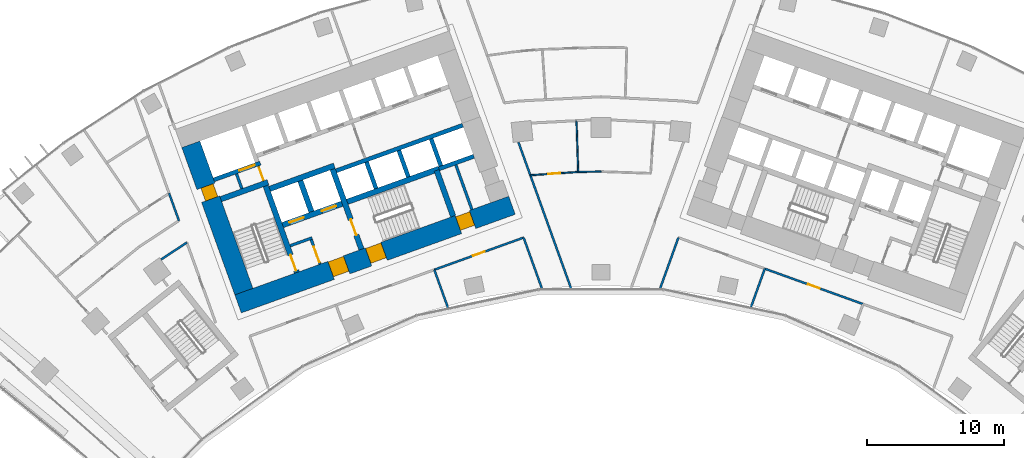
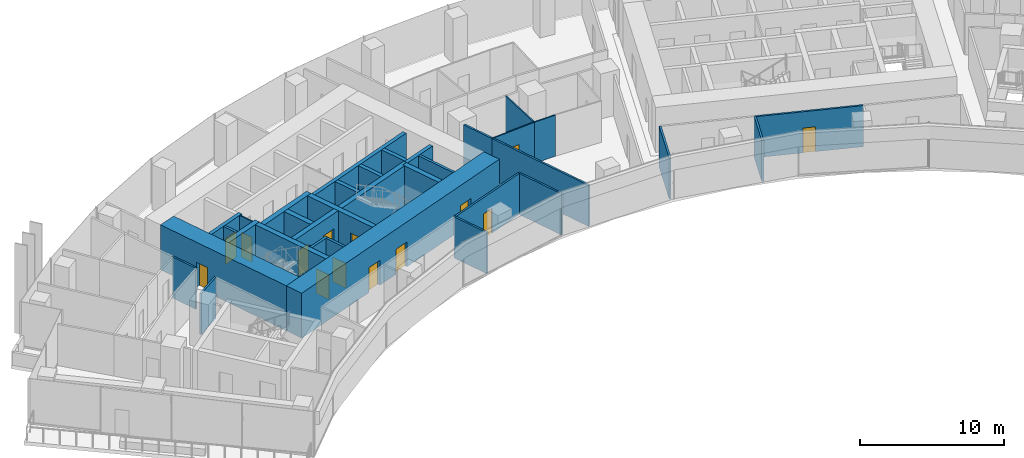
# One storey, part 14 of 21: 33 walls, 14 doors, 14 openings.
"""IFC4 building model written with IfcOpenShell, lengths in metres."""

from ifc_helpers import new_model, si_unit, direction, frame, frame_2d, origin, place, context, subcontext, project, spatial, rectangle, extrude, material, layer, layer_set, type_object, element, fill, save


model = new_model("IFC4")

# Units and contexts
model_context = context("Model", 3, precision=1e-05, world=origin(), true_north=direction((0.0, 1.0)))
body_context = subcontext(model_context, "Body", "Model", "MODEL_VIEW")
ifc_project = project(units=[si_unit("LENGTHUNIT", "METRE"), si_unit("AREAUNIT", "SQUARE_METRE"), si_unit("VOLUMEUNIT", "CUBIC_METRE"), si_unit("PLANEANGLEUNIT", "RADIAN"), si_unit("MASSUNIT", "GRAM", prefix="KILO")], contexts=[model_context])

# Site, building, storey
site_placement = place(None, origin())
site = spatial("IfcSite", under=ifc_project, at=site_placement, CompositionType="ELEMENT")
building_placement = place(site_placement, origin())
building = spatial("IfcBuilding", under=site, at=building_placement, Name="Stone Belt Terrace Tower", CompositionType="ELEMENT")
storey_placement = place(building_placement, frame((0.0, 0.0, 113.60009765625)))
storey = spatial("IfcBuildingStorey", under=building, at=storey_placement, Name="L27", CompositionType="ELEMENT", Elevation=113.60009765625)

# Wall, opening, door
ifc_material_1 = material(Name="Plasterboard partition")
ifc_layer_1 = layer(ifc_material_1, 0.10009765625)
ifc_layer_set_1 = layer_set([ifc_layer_1], Name="Core partition 100")
wall_type_1 = type_object("IfcWallType", Name="Core partition 100", PredefinedType="PARTITIONING", material=ifc_layer_set_1)
wall_1_placement = place(storey_placement, frame((-24.555908203125, 51.10400390625, 0.0), z_axis=(0.0, 0.0, 1.0), x_axis=(-0.338621735342, 0.94092258999, 0.0)))
wall_1 = element("IfcWall", 1, at=wall_1_placement, inside=storey, type_object=wall_type_1, Name="Core A wall", PredefinedType="PARTITIONING", context=body_context, shape_type="SweptSolid", body=[
    extrude(rectangle(XDim=1.14990234375, YDim=0.10009765625, at=frame_2d((0.574951171875, 0.0))), origin(), (0.0, 0.0, 1.0), 3.47998046875),
])
opening_1_placement = place(wall_1_placement, frame((0.050048828125, 0.0, 0.0)))
opening_1 = element("IfcOpeningElement", 2, at=opening_1_placement, cuts=wall_1, Name="Opening L27-C02", PredefinedType="OPENING", context=body_context, shape_type="SweptSolid", body=[
    extrude(rectangle(XDim=1.0, YDim=2.10009765625, at=frame_2d((0.5, 1.050048828125))), frame((0.0, 0.06005859375, 0.0), z_axis=(0.0, -1.0, 0.0), x_axis=(1.0, 0.0, 0.0)), (0.0, 0.0, 1.0), 0.1201171875),
])
ifc_material_2 = material(Name="Timber door leaf", Category="wood")
door_type_1 = type_object("IfcDoorType", Name="Core room door 1000", OperationType="SINGLE_SWING_LEFT", PredefinedType="DOOR", material=ifc_material_2)
door_1_placement = place(opening_1_placement, origin())
door_1 = element("IfcDoor", 3, at=door_1_placement, inside=storey, type_object=door_type_1, Name="Service lift lobby door core A", OperationType="SINGLE_SWING_RIGHT", OverallHeight=2.10009765625, OverallWidth=1.0, PredefinedType="DOOR", context=body_context, shape_type="SweptSolid", body=[
    extrude(rectangle(XDim=1.0, YDim=2.10009765625, at=frame_2d((0.5, 1.050048828125))), frame((0.0, 0.02490234375, 0.0), z_axis=(0.0, -1.0, 0.0), x_axis=(1.0, 0.0, 0.0)), (0.0, 0.0, 1.0), 0.050048828125),
])
fill(opening_1, door_1)

# Wall, openings, doors
ifc_material_3 = material(Name="Concrete B80", Category="concrete")
ifc_layer_2 = layer(ifc_material_3, 1.39990234375)
ifc_layer_set_2 = layer_set([ifc_layer_2], Name="Core wall 1400 B80")
wall_type_2 = type_object("IfcWallType", Name="Core wall 1400 B80", PredefinedType="SHEAR", material=ifc_layer_set_2)
wall_2_placement = place(storey_placement, frame((-26.430908203125, 42.139404296875, 0.0), z_axis=(0.0, 0.0, 1.0), x_axis=(0.940923374003, 0.33861955681, 0.0)))
wall_2 = element("IfcWall", 4, at=wall_2_placement, inside=storey, type_object=wall_type_2, Name="Core A wall concave L27", PredefinedType="SHEAR", context=body_context, shape_type="SweptSolid", body=[
    extrude(rectangle(XDim=21.199951171875, YDim=1.39990234375, at=frame_2d((10.60009765625, 0.0))), origin(), (0.0, 0.0, 1.0), 3.7998046875),
])
opening_2_placement = place(wall_2_placement, frame((7.199951171875, 0.0, 0.0)))
opening_2 = element("IfcOpeningElement", 5, at=opening_2_placement, cuts=wall_2, Name="Opening L27-C07", PredefinedType="OPENING", context=body_context, shape_type="SweptSolid", body=[
    extrude(rectangle(XDim=1.199951171875, YDim=2.10009765625, at=frame_2d((0.60009765625, 1.050048828125))), frame((0.0, 0.7099609375, 0.0), z_axis=(0.0, -1.0, 0.0), x_axis=(1.0, 0.0, 0.0)), (0.0, 0.0, 1.0), 1.419921875),
])
opening_3_placement = place(wall_2_placement, frame((10.099853515625, 0.0, 0.0)))
opening_3 = element("IfcOpeningElement", 6, at=opening_3_placement, cuts=wall_2, Name="Opening L27-C09", PredefinedType="OPENING", context=body_context, shape_type="SweptSolid", body=[
    extrude(rectangle(XDim=1.199951171875, YDim=2.10009765625, at=frame_2d((0.60009765625, 1.050048828125))), frame((0.0, 0.7099609375, 0.0), z_axis=(0.0, -1.0, 0.0), x_axis=(1.0, 0.0, 0.0)), (0.0, 0.0, 1.0), 1.419921875),
])
opening_4_placement = place(wall_2_placement, frame((17.050048828125, 0.0, 0.0)))
opening_4 = element("IfcOpeningElement", 7, at=opening_4_placement, cuts=wall_2, Name="Opening L27-C11", PredefinedType="OPENING", context=body_context, shape_type="SweptSolid", body=[
    extrude(rectangle(XDim=1.10009765625, YDim=2.10009765625, at=frame_2d((0.550048828125, 1.050048828125))), frame((0.0, 0.7099609375, 0.0), z_axis=(0.0, -1.0, 0.0), x_axis=(1.0, 0.0, 0.0)), (0.0, 0.0, 1.0), 1.419921875),
])
door_type_2 = type_object("IfcDoorType", Name="Core room door 1100", OperationType="SINGLE_SWING_LEFT", PredefinedType="DOOR", material=ifc_material_2)
door_2_placement = place(opening_4_placement, origin())
door_2 = element("IfcDoor", 8, at=door_2_placement, inside=storey, type_object=door_type_2, Name="Door to Communications riser room core A", OperationType="SINGLE_SWING_RIGHT", OverallHeight=2.10009765625, OverallWidth=1.10009765625, PredefinedType="DOOR", context=body_context, shape_type="SweptSolid", body=[
    extrude(rectangle(XDim=1.10009765625, YDim=2.10009765625, at=frame_2d((0.550048828125, 1.050048828125))), frame((0.0, 0.60498046875, 0.0), z_axis=(0.0, -1.0, 0.0), x_axis=(1.0, 0.0, 0.0)), (0.0, 0.0, 1.0), 1.050048828125),
])
fill(opening_4, door_2)
ifc_material_4 = material(Name="Steel door leaf", Category="steel")
door_type_3 = type_object("IfcDoorType", Name="Fire-fighting lobby door 1200", OperationType="SINGLE_SWING_LEFT", PredefinedType="DOOR", material=ifc_material_4)
door_3_placement = place(opening_2_placement, origin())
door_3 = element("IfcDoor", 9, at=door_3_placement, inside=storey, type_object=door_type_3, Name="Fire-fighting lobby door core A", OperationType="SINGLE_SWING_RIGHT", OverallHeight=2.10009765625, OverallWidth=1.199951171875, PredefinedType="DOOR", context=body_context, shape_type="SweptSolid", body=[
    extrude(rectangle(XDim=1.199951171875, YDim=2.10009765625, at=frame_2d((0.60009765625, 1.050048828125))), frame((0.0, 0.655029296875, 0.0), z_axis=(0.0, -1.0, 0.0), x_axis=(1.0, 0.0, 0.0)), (0.0, 0.0, 1.0), 1.14990234375),
])
fill(opening_2, door_3)
door_type_4 = type_object("IfcDoorType", Name="Stair door 1200", OperationType="SINGLE_SWING_LEFT", PredefinedType="DOOR", material=ifc_material_4)
door_4_placement = place(opening_3_placement, origin())
door_4 = element("IfcDoor", 10, at=door_4_placement, inside=storey, type_object=door_type_4, Name="Stair 2 exit door core A", OperationType="SINGLE_SWING_LEFT", OverallHeight=2.10009765625, OverallWidth=1.199951171875, PredefinedType="DOOR", context=body_context, shape_type="SweptSolid", body=[
    extrude(rectangle(XDim=1.199951171875, YDim=2.10009765625, at=frame_2d((0.60009765625, 1.050048828125))), frame((0.0, 0.655029296875, 0.0), z_axis=(0.0, -1.0, 0.0), x_axis=(1.0, 0.0, 0.0)), (0.0, 0.0, 1.0), 1.14990234375),
])
fill(opening_3, door_4)

# Wall, opening, door
wall_3_placement = place(storey_placement, frame((-26.00927734375, 43.03515625, 0.0), z_axis=(0.0, 0.0, 1.0), x_axis=(-0.338625431531, 0.940921259788, 0.0)))
wall_3 = element("IfcWall", 11, at=wall_3_placement, inside=storey, type_object=wall_type_2, Name="Core A wall end_a L27", PredefinedType="SHEAR", context=body_context, shape_type="SweptSolid", body=[
    extrude(rectangle(XDim=11.400146484375, YDim=1.39990234375, at=frame_2d((5.7001953125, 0.0))), origin(), (0.0, 0.0, 1.0), 3.7998046875),
])
opening_5_placement = place(wall_3_placement, frame((7.14990234375, 0.0, 0.0)))
opening_5 = element("IfcOpeningElement", 12, at=opening_5_placement, cuts=wall_3, Name="Opening L27-C01", PredefinedType="OPENING", context=body_context, shape_type="SweptSolid", body=[
    extrude(rectangle(XDim=1.0, YDim=2.10009765625, at=frame_2d((0.5, 1.050048828125))), frame((0.0, 0.7099609375, 0.0), z_axis=(0.0, -1.0, 0.0), x_axis=(1.0, 0.0, 0.0)), (0.0, 0.0, 1.0), 1.419921875),
])
door_5_placement = place(opening_5_placement, origin())
door_5 = element("IfcDoor", 13, at=door_5_placement, inside=storey, type_object=door_type_1, Name="Door to Telecommunications riser room core A", OperationType="SINGLE_SWING_LEFT", OverallHeight=2.10009765625, OverallWidth=1.0, PredefinedType="DOOR", context=body_context, shape_type="SweptSolid", body=[
    extrude(rectangle(XDim=1.0, YDim=2.10009765625, at=frame_2d((0.5, 1.050048828125))), frame((0.0, 0.39501953125, 0.0), z_axis=(0.0, -1.0, 0.0), x_axis=(1.0, 0.0, 0.0)), (0.0, 0.0, 1.0), 0.949951171875),
])
fill(opening_5, door_5)

# Walls
ifc_layer_3 = layer(ifc_material_3, 0.39990234375)
ifc_layer_set_3 = layer_set([ifc_layer_3], Name="Fire-fighting lift shaft wall 400")
wall_type_3 = type_object("IfcWallType", Name="Fire-fighting lift shaft wall 400", PredefinedType="SHEAR", material=ifc_layer_set_3)
wall_4_placement = place(storey_placement, frame((-24.130615234375, 50.512939453125, 0.0), z_axis=(0.0, 0.0, 1.0), x_axis=(0.94091168377, 0.338652038744, 0.0)))
element("IfcWall", 14, at=wall_4_placement, inside=storey, type_object=wall_type_3, Name="Core A wall", PredefinedType="SHEAR", context=body_context, shape_type="SweptSolid", body=[
    extrude(rectangle(XDim=5.000244140625, YDim=0.39990234375, at=frame_2d((2.5, 0.0))), origin(), (0.0, 0.0, 1.0), 3.47998046875),
])
wall_5_placement = place(storey_placement, frame((-21.0859375, 48.845458984375, 0.0), z_axis=(0.0, 0.0, 1.0), x_axis=(-0.338629416206, 0.940919825745, 0.0)))
element("IfcWall", 15, at=wall_5_placement, inside=storey, type_object=wall_type_3, Name="Core A wall", PredefinedType="SHEAR", context=body_context, shape_type="SweptSolid", body=[
    extrude(rectangle(XDim=2.400146484375, YDim=0.39990234375, at=frame_2d((1.2001953125, 0.0))), origin(), (0.0, 0.0, 1.0), 3.47998046875),
])

# Wall, opening, door
ifc_layer_4 = layer(ifc_material_3, 0.300048828125)
ifc_layer_set_4 = layer_set([ifc_layer_4], Name="Lift shaft wall 300")
wall_type_4 = type_object("IfcWallType", Name="Lift shaft wall 300", PredefinedType="SHEAR", material=ifc_layer_set_4)
wall_6_placement = place(storey_placement, frame((-28.195068359375, 51.17578125, 0.0), z_axis=(0.0, 0.0, 1.0), x_axis=(0.940901243567, 0.338681044427, 0.0)))
wall_6 = element("IfcWall", 16, at=wall_6_placement, inside=storey, type_object=wall_type_4, Name="Core A wall", PredefinedType="SHEAR", context=body_context, shape_type="SweptSolid", body=[
    extrude(rectangle(XDim=3.599853515625, YDim=0.300048828125, at=frame_2d((1.7998046875, 0.0))), origin(), (0.0, 0.0, 1.0), 3.47998046875),
])
opening_6_placement = place(wall_6_placement, frame((1.969970703125, 0.0, 0.0)))
opening_6 = element("IfcOpeningElement", 17, at=opening_6_placement, cuts=wall_6, Name="Opening L27-LD09", PredefinedType="OPENING", context=body_context, shape_type="SweptSolid", body=[
    extrude(rectangle(XDim=1.199951171875, YDim=2.199951171875, at=frame_2d((0.60009765625, 1.10009765625))), frame((0.0, 0.159912109375, 0.0), z_axis=(0.0, -1.0, 0.0), x_axis=(1.0, 0.0, 0.0)), (0.0, 0.0, 1.0), 0.320068359375),
])
ifc_material_5 = material(Name="Stainless steel door leaf", Category="steel")
door_type_5 = type_object("IfcDoorType", Name="Landing door 1200", OperationType="SLIDING_TO_LEFT", PredefinedType="DOOR", material=ifc_material_5)
door_6_placement = place(opening_6_placement, origin())
door_6 = element("IfcDoor", 18, at=door_6_placement, inside=storey, type_object=door_type_5, Name="Landing door SV1 core A", OperationType="SLIDING_TO_LEFT", OverallHeight=2.199951171875, OverallWidth=1.199951171875, PredefinedType="DOOR", context=body_context, shape_type="SweptSolid", body=[
    extrude(rectangle(XDim=1.199951171875, YDim=2.199951171875, at=frame_2d((0.60009765625, 1.10009765625))), frame((0.0, 0.02490234375, 0.0), z_axis=(0.0, -1.0, 0.0), x_axis=(1.0, 0.0, 0.0)), (0.0, 0.0, 1.0), 0.050048828125),
])
fill(opening_6, door_6)

# Walls
wall_7_placement = place(storey_placement, frame((-19.29052734375, 51.829833984375, 0.0), z_axis=(0.0, 0.0, 1.0), x_axis=(0.940925833398, 0.338612722803, 0.0)))
element("IfcWall", 19, at=wall_7_placement, inside=storey, type_object=wall_type_4, Name="Core A wall", PredefinedType="SHEAR", context=body_context, shape_type="SweptSolid", body=[
    extrude(rectangle(XDim=9.7998046875, YDim=0.300048828125, at=frame_2d((4.89990234375, 0.0))), origin(), (0.0, 0.0, 1.0), 3.47998046875),
])
for number, where, z_axis, x_axis, name in (
    (20, (-16.38134765625, 50.53857421875, 0.0), (0.0, 0.0, 1.0), (-0.338681515556, 0.940901073982, 0.0), "Core A wall"),
    (21, (-14.029052734375, 51.38525390625, 0.0), (0.0, 0.0, 1.0), (-0.338681515556, 0.940901073982, 0.0), "Core A wall"),
):
    element("IfcWall", number, at=place(storey_placement, frame(where, z_axis=z_axis, x_axis=x_axis)), inside=storey, type_object=wall_type_4, Name=name, PredefinedType="SHEAR", context=body_context, shape_type="SweptSolid", body=[
        extrude(rectangle(XDim=2.050048828125, YDim=0.300048828125, at=frame_2d((1.02490234375, 0.0))), origin(), (0.0, 0.0, 1.0), 3.47998046875),
    ])
wall_8_placement = place(storey_placement, frame((-11.797119140625, 51.975830078125, 0.0), z_axis=(0.0, 0.0, 1.0), x_axis=(0.940910465161, 0.33865542451, 0.0)))
element("IfcWall", 22, at=wall_8_placement, inside=storey, type_object=wall_type_4, Name="Core A wall", PredefinedType="SHEAR", context=body_context, shape_type="SweptSolid", body=[
    extrude(rectangle(XDim=2.69970703125, YDim=0.300048828125, at=frame_2d((1.349853515625, 0.0))), origin(), (0.0, 0.0, 1.0), 3.47998046875),
])
wall_9_placement = place(storey_placement, frame((-11.659912109375, 52.184814453125, 0.0), z_axis=(0.0, 0.0, 1.0), x_axis=(-0.338670064856, 0.940905195634, 0.0)))
element("IfcWall", 23, at=wall_9_placement, inside=storey, type_object=wall_type_4, Name="Core A wall", PredefinedType="SHEAR", context=body_context, shape_type="SweptSolid", body=[
    extrude(rectangle(XDim=2.099853515625, YDim=0.300048828125, at=frame_2d((1.0498046875, 0.0))), origin(), (0.0, 0.0, 1.0), 3.47998046875),
])

# Wall, opening, door
ifc_material_6 = material(Name="Gypsum board partition")
ifc_layer_5 = layer(ifc_material_6, 0.10009765625)
ifc_layer_set_5 = layer_set([ifc_layer_5], Name="PARTITION 100")
wall_type_5 = type_object("IfcWallType", Name="PARTITION 100", PredefinedType="PARTITIONING", material=ifc_layer_set_5)
wall_10_placement = place(storey_placement, frame((-5.14697265625, 51.509033203125, 0.0), z_axis=(0.0, 0.0, 1.0), x_axis=(0.997654919986, 0.068444580705, 0.0)))
wall_10 = element("IfcWall", 24, at=wall_10_placement, inside=storey, type_object=wall_type_5, Name="L27/wall/i095", PredefinedType="PARTITIONING", context=body_context, shape_type="SweptSolid", body=[
    extrude(rectangle(XDim=3.4921875, YDim=0.10009765625, at=frame_2d((1.74609375, 0.0))), origin(), (0.0, 0.0, 1.0), 3.47998046875),
])
opening_7_placement = place(wall_10_placement, frame((1.296142578125, 0.0, 0.0)))
opening_7 = element("IfcOpeningElement", 25, at=opening_7_placement, cuts=wall_10, Name="Opening D-B4-29", PredefinedType="OPENING", context=body_context, shape_type="SweptSolid", body=[
    extrude(rectangle(XDim=0.89990234375, YDim=2.10009765625, at=frame_2d((0.449951171875, 1.050048828125))), frame((0.0, 0.06005859375, 0.0), z_axis=(0.0, -1.0, 0.0), x_axis=(1.0, 0.0, 0.0)), (0.0, 0.0, 1.0), 0.1201171875),
])
door_type_6 = type_object("IfcDoorType", Name="OFFICE DOOR 900 X 2100", OperationType="NOTDEFINED", PredefinedType="DOOR", material=ifc_material_2)
door_7_placement = place(opening_7_placement, origin())
door_7 = element("IfcDoor", 26, at=door_7_placement, inside=storey, type_object=door_type_6, Name="L27/door/i29", OperationType="SINGLE_SWING_RIGHT", OverallHeight=2.10009765625, OverallWidth=0.89990234375, PredefinedType="DOOR", context=body_context, shape_type="SweptSolid", body=[
    extrude(rectangle(XDim=0.89990234375, YDim=2.10009765625, at=frame_2d((0.449951171875, 1.050048828125))), frame((0.0, 0.02490234375, 0.0), z_axis=(0.0, -1.0, 0.0), x_axis=(1.0, 0.0, 0.0)), (0.0, 0.0, 1.0), 0.050048828125),
])
fill(opening_7, door_7)

# Walls
wall_11_placement = place(storey_placement, frame((-1.6630859375, 51.748046875, 0.0), z_axis=(0.0, 0.0, 1.0), x_axis=(0.999869646958, 0.016145869226, 0.0)))
element("IfcWall", 27, at=wall_11_placement, inside=storey, type_object=wall_type_5, Name="L27/wall/i096", PredefinedType="PARTITIONING", context=body_context, shape_type="SweptSolid", body=[
    extrude(rectangle(XDim=1.663330078125, YDim=0.10009765625, at=frame_2d((0.83154296875, 0.0))), origin(), (0.0, 0.0, 1.0), 3.47998046875),
])
wall_12_placement = place(storey_placement, frame((-1.782958984375, 55.48193359375, 0.0), z_axis=(0.0, 0.0, 1.0), x_axis=(0.032087561479, -0.999485061618, 0.0)))
element("IfcWall", 28, at=wall_12_placement, inside=storey, type_object=wall_type_5, Name="L27/wall/i099", PredefinedType="PARTITIONING", context=body_context, shape_type="SweptSolid", body=[
    extrude(rectangle(XDim=3.73583984375, YDim=0.10009765625, at=frame_2d((1.867919921875, 0.0))), origin(), (0.0, 0.0, 1.0), 3.47998046875),
])
ifc_layer_6 = layer(ifc_material_6, 0.14990234375)
ifc_layer_set_6 = layer_set([ifc_layer_6], Name="PARTITION 150 EI 60")
wall_type_6 = type_object("IfcWallType", Name="PARTITION 150 EI 60", PredefinedType="PARTITIONING", material=ifc_layer_set_6)
wall_13_placement = place(storey_placement, frame((-30.737060546875, 48.197021484375, 0.0), z_axis=(0.0, 0.0, 1.0), x_axis=(-0.338300458041, 0.941038150177, 0.0)))
element("IfcWall", 29, at=wall_13_placement, inside=storey, type_object=wall_type_6, Name="L27/wall/i005", PredefinedType="PARTITIONING", context=body_context, shape_type="SweptSolid", body=[
    extrude(rectangle(XDim=2.125244140625, YDim=0.14990234375, at=frame_2d((1.0625, 0.0))), origin(), (0.0, 0.0, 1.0), 3.47998046875),
])
wall_14_placement = place(storey_placement, frame((-4.31005859375, 43.27783203125, 0.0), z_axis=(0.0, 0.0, 1.0), x_axis=(-0.338490436495, 0.940969831823, 0.0)))
element("IfcWall", 30, at=wall_14_placement, inside=storey, type_object=wall_type_6, Name="L27/wall/i008", PredefinedType="PARTITIONING", context=body_context, shape_type="SweptSolid", body=[
    extrude(rectangle(XDim=3.92578125, YDim=0.14990234375, at=frame_2d((1.962890625, 0.0))), origin(), (0.0, 0.0, 1.0), 3.47998046875),
])
wall_15_placement = place(storey_placement, frame((-5.14892578125, 51.514892578125, 0.0), z_axis=(0.0, 0.0, 1.0), x_axis=(0.338625833111, -0.940921115264, 0.0)))
element("IfcWall", 31, at=wall_15_placement, inside=storey, type_object=wall_type_6, Name="L27/wall/i010", PredefinedType="PARTITIONING", context=body_context, shape_type="SweptSolid", body=[
    extrude(rectangle(XDim=8.771484375, YDim=0.14990234375, at=frame_2d((4.3857421875, 0.0))), origin(), (0.0, 0.0, 1.0), 3.47998046875),
])
wall_16_placement = place(storey_placement, frame((-6.011962890625, 53.911865234375, 0.0), z_axis=(0.0, 0.0, 1.0), x_axis=(0.338624916553, -0.940921445122, 0.0)))
element("IfcWall", 32, at=wall_16_placement, inside=storey, type_object=wall_type_6, Name="L27/wall/i011", PredefinedType="PARTITIONING", context=body_context, shape_type="SweptSolid", body=[
    extrude(rectangle(XDim=2.560302734375, YDim=0.14990234375, at=frame_2d((1.2802734375, 0.0))), origin(), (0.0, 0.0, 1.0), 3.47998046875),
])

# Wall, opening, door
wall_17_placement = place(storey_placement, frame((-5.636962890625, 46.966064453125, 0.0), z_axis=(0.0, 0.0, 1.0), x_axis=(-0.940914398552, -0.33864449589, 0.0)))
wall_17 = element("IfcWall", 33, at=wall_17_placement, inside=storey, type_object=wall_type_6, Name="L27/wall/i016", PredefinedType="PARTITIONING", context=body_context, shape_type="SweptSolid", body=[
    extrude(rectangle(XDim=6.918701171875, YDim=0.14990234375, at=frame_2d((3.45947265625, 0.0))), origin(), (0.0, 0.0, 1.0), 3.47998046875),
])
opening_8_placement = place(wall_17_placement, frame((3.00927734375, 0.0, 0.0)))
opening_8 = element("IfcOpeningElement", 34, at=opening_8_placement, cuts=wall_17, Name="Opening D-B4-03", PredefinedType="OPENING", context=body_context, shape_type="SweptSolid", body=[
    extrude(rectangle(XDim=0.89990234375, YDim=2.10009765625, at=frame_2d((0.449951171875, 1.050048828125))), frame((0.0, 0.0849609375, 0.0), z_axis=(0.0, -1.0, 0.0), x_axis=(1.0, 0.0, 0.0)), (0.0, 0.0, 1.0), 0.169921875),
])
door_8_placement = place(opening_8_placement, origin())
door_8 = element("IfcDoor", 35, at=door_8_placement, inside=storey, type_object=door_type_6, Name="L27/door/i03", OperationType="SINGLE_SWING_RIGHT", OverallHeight=2.10009765625, OverallWidth=0.89990234375, PredefinedType="DOOR", context=body_context, shape_type="SweptSolid", body=[
    extrude(rectangle(XDim=0.89990234375, YDim=2.10009765625, at=frame_2d((0.449951171875, 1.050048828125))), frame((0.0, 0.02490234375, 0.0), z_axis=(0.0, -1.0, 0.0), x_axis=(1.0, 0.0, 0.0)), (0.0, 0.0, 1.0), 0.050048828125),
])
fill(opening_8, door_8)

# Walls
wall_18_placement = place(storey_placement, frame((-12.14111328125, 44.625, 0.0), z_axis=(0.0, 0.0, 1.0), x_axis=(0.338687117688, -0.940899057451, 0.0)))
element("IfcWall", 36, at=wall_18_placement, inside=storey, type_object=wall_type_6, Name="L27/wall/i019", PredefinedType="PARTITIONING", context=body_context, shape_type="SweptSolid", body=[
    extrude(rectangle(XDim=2.939697265625, YDim=0.14990234375, at=frame_2d((1.4697265625, 0.0))), origin(), (0.0, 0.0, 1.0), 3.47998046875),
])
wall_19_placement = place(storey_placement, frame((5.638916015625, 46.971923828125, 0.0), z_axis=(0.0, 0.0, 1.0), x_axis=(-0.338490436495, -0.940969831823, 0.0)))
element("IfcWall", 37, at=wall_19_placement, inside=storey, type_object=wall_type_6, Name="L27/wall/i021", PredefinedType="PARTITIONING", context=body_context, shape_type="SweptSolid", body=[
    extrude(rectangle(XDim=3.92578125, YDim=0.14990234375, at=frame_2d((1.962890625, 0.0))), origin(), (0.0, 0.0, 1.0), 3.47998046875),
])

# Wall, opening, door
wall_20_placement = place(storey_placement, frame((19.0859375, 42.1259765625, 0.0), z_axis=(0.0, 0.0, 1.0), x_axis=(-0.940922970356, 0.338620678423, 0.0)))
wall_20 = element("IfcWall", 38, at=wall_20_placement, inside=storey, type_object=wall_type_6, Name="L27/wall/i032", PredefinedType="PARTITIONING", context=body_context, shape_type="SweptSolid", body=[
    extrude(rectangle(XDim=7.613525390625, YDim=0.14990234375, at=frame_2d((3.806640625, 0.0))), origin(), (0.0, 0.0, 1.0), 3.47998046875),
])
opening_9_placement = place(wall_20_placement, frame((3.35693359375, 0.0, 0.0)))
opening_9 = element("IfcOpeningElement", 39, at=opening_9_placement, cuts=wall_20, Name="Opening D-B4-07", PredefinedType="OPENING", context=body_context, shape_type="SweptSolid", body=[
    extrude(rectangle(XDim=0.89990234375, YDim=2.10009765625, at=frame_2d((0.449951171875, 1.050048828125))), frame((0.0, 0.0849609375, 0.0), z_axis=(0.0, -1.0, 0.0), x_axis=(1.0, 0.0, 0.0)), (0.0, 0.0, 1.0), 0.169921875),
])
door_9_placement = place(opening_9_placement, origin())
door_9 = element("IfcDoor", 40, at=door_9_placement, inside=storey, type_object=door_type_6, Name="L27/door/i07", OperationType="SINGLE_SWING_RIGHT", OverallHeight=2.10009765625, OverallWidth=0.89990234375, PredefinedType="DOOR", context=body_context, shape_type="SweptSolid", body=[
    extrude(rectangle(XDim=0.89990234375, YDim=2.10009765625, at=frame_2d((0.449951171875, 1.050048828125))), frame((0.0, 0.02490234375, 0.0), z_axis=(0.0, -1.0, 0.0), x_axis=(1.0, 0.0, 0.0)), (0.0, 0.0, 1.0), 0.050048828125),
])
fill(opening_9, door_9)

# Walls
wall_21_placement = place(storey_placement, frame((11.927978515625, 44.701904296875, 0.0), z_axis=(0.0, 0.0, 1.0), x_axis=(-0.33850120376, -0.940965958498, 0.0)))
element("IfcWall", 41, at=wall_21_placement, inside=storey, type_object=wall_type_6, Name="L27/wall/i034", PredefinedType="PARTITIONING", context=body_context, shape_type="SweptSolid", body=[
    extrude(rectangle(XDim=2.970703125, YDim=0.14990234375, at=frame_2d((1.4853515625, 0.0))), origin(), (0.0, 0.0, 1.0), 3.47998046875),
])
wall_22_placement = place(storey_placement, frame((-30.1650390625, 46.60595703125, 0.0), z_axis=(0.0, 0.0, 1.0), x_axis=(-0.835442130402, -0.549578426386, 0.0)))
element("IfcWall", 42, at=wall_22_placement, inside=storey, type_object=wall_type_6, Name="L27/wall/i042", PredefinedType="PARTITIONING", context=body_context, shape_type="SweptSolid", body=[
    extrude(rectangle(XDim=2.237548828125, YDim=0.14990234375, at=frame_2d((1.11865234375, 0.0))), origin(), (0.0, 0.0, 1.0), 3.47998046875),
])
ifc_material_7 = material(Name="Concrete masonry block", Category="masonry")
ifc_layer_7 = layer(ifc_material_7, 0.199951171875)
ifc_layer_set_7 = layer_set([ifc_layer_7], Name="Rated lobby wall 200")
wall_type_7 = type_object("IfcWallType", Name="Rated lobby wall 200", PredefinedType="PARTITIONING", material=ifc_layer_set_7)
wall_23_placement = place(storey_placement, frame((-26.1552734375, 50.5283203125, 0.0), z_axis=(0.0, 0.0, 1.0), x_axis=(-0.338621735342, 0.94092258999, 0.0)))
element("IfcWall", 43, at=wall_23_placement, inside=storey, type_object=wall_type_7, Name="Core A wall", PredefinedType="PARTITIONING", context=body_context, shape_type="SweptSolid", body=[
    extrude(rectangle(XDim=1.14990234375, YDim=0.199951171875, at=frame_2d((0.574951171875, 0.0))), origin(), (0.0, 0.0, 1.0), 3.47998046875),
])
wall_24_placement = place(storey_placement, frame((-22.640625, 46.373046875, 0.0), z_axis=(0.0, 0.0, 1.0), x_axis=(0.940966110313, 0.338500781747, 0.0)))
element("IfcWall", 44, at=wall_24_placement, inside=storey, type_object=wall_type_7, Name="Core A wall", PredefinedType="PARTITIONING", context=body_context, shape_type="SweptSolid", body=[
    extrude(rectangle(XDim=1.699951171875, YDim=0.199951171875, at=frame_2d((0.85009765625, 0.0))), origin(), (0.0, 0.0, 1.0), 3.47998046875),
])

# Wall, opening, door
wall_25_placement = place(storey_placement, frame((-20.4580078125, 45.032958984375, 0.0), z_axis=(0.0, 0.0, 1.0), x_axis=(-0.338573865316, 0.940939816208, 0.0)))
wall_25 = element("IfcWall", 45, at=wall_25_placement, inside=storey, type_object=wall_type_7, Name="Core A wall", PredefinedType="PARTITIONING", context=body_context, shape_type="SweptSolid", body=[
    extrude(rectangle(XDim=1.900146484375, YDim=0.199951171875, at=frame_2d((0.9501953125, 0.0))), origin(), (0.0, 0.0, 1.0), 3.47998046875),
])
opening_10_placement = place(wall_25_placement, frame((0.14990234375, 0.0, 0.0)))
opening_10 = element("IfcOpeningElement", 46, at=opening_10_placement, cuts=wall_25, Name="Opening L27-C06", PredefinedType="OPENING", context=body_context, shape_type="SweptSolid", body=[
    extrude(rectangle(XDim=1.199951171875, YDim=2.10009765625, at=frame_2d((0.60009765625, 1.050048828125))), frame((0.0, 0.10986328125, 0.0), z_axis=(0.0, -1.0, 0.0), x_axis=(1.0, 0.0, 0.0)), (0.0, 0.0, 1.0), 0.219970703125),
])
door_10_placement = place(opening_10_placement, origin())
door_10 = element("IfcDoor", 47, at=door_10_placement, inside=storey, type_object=door_type_4, Name="Stair airlock door core A", OperationType="SINGLE_SWING_RIGHT", OverallHeight=2.10009765625, OverallWidth=1.199951171875, PredefinedType="DOOR", context=body_context, shape_type="SweptSolid", body=[
    extrude(rectangle(XDim=1.199951171875, YDim=2.10009765625, at=frame_2d((0.60009765625, 1.050048828125))), frame((0.0, 0.02490234375, 0.0), z_axis=(0.0, -1.0, 0.0), x_axis=(1.0, 0.0, 0.0)), (0.0, 0.0, 1.0), 0.050048828125),
])
fill(opening_10, door_10)

# Walls
wall_26_placement = place(storey_placement, frame((-9.402099609375, 49.01171875, 0.0), z_axis=(0.0, 0.0, 1.0), x_axis=(-0.338599189079, 0.940930703695, 0.0)))
element("IfcWall", 48, at=wall_26_placement, inside=storey, type_object=wall_type_7, Name="Core A wall", PredefinedType="PARTITIONING", context=body_context, shape_type="SweptSolid", body=[
    extrude(rectangle(XDim=3.4501953125, YDim=0.199951171875, at=frame_2d((1.72509765625, 0.0))), origin(), (0.0, 0.0, 1.0), 3.47998046875),
])
ifc_layer_8 = layer(ifc_material_3, 0.39990234375)
ifc_layer_set_8 = layer_set([ifc_layer_8], Name="Stair enclosure wall 400")
wall_type_8 = type_object("IfcWallType", Name="Stair enclosure wall 400", PredefinedType="SHEAR", material=ifc_layer_set_8)
wall_27_placement = place(storey_placement, frame((-27.687255859375, 49.764404296875, 0.0), z_axis=(0.0, 0.0, 1.0), x_axis=(0.940918954884, 0.338631835981, 0.0)))
element("IfcWall", 49, at=wall_27_placement, inside=storey, type_object=wall_type_8, Name="Core A wall", PredefinedType="SHEAR", context=body_context, shape_type="SweptSolid", body=[
    extrude(rectangle(XDim=3.650146484375, YDim=0.39990234375, at=frame_2d((1.8251953125, 0.0))), origin(), (0.0, 0.0, 1.0), 3.47998046875),
])

# Wall, opening, door
wall_28_placement = place(storey_placement, frame((-22.151611328125, 44.42333984375, 0.0), z_axis=(0.0, 0.0, 1.0), x_axis=(-0.338625272931, 0.940921316866, 0.0)))
wall_28 = element("IfcWall", 50, at=wall_28_placement, inside=storey, type_object=wall_type_8, Name="Core A wall", PredefinedType="SHEAR", context=body_context, shape_type="SweptSolid", body=[
    extrude(rectangle(XDim=6.699951171875, YDim=0.39990234375, at=frame_2d((3.35009765625, 0.0))), origin(), (0.0, 0.0, 1.0), 3.47998046875),
])
opening_11_placement = place(wall_28_placement, frame((0.14990234375, 0.0, 0.0)))
opening_11 = element("IfcOpeningElement", 51, at=opening_11_placement, cuts=wall_28, Name="Opening L27-C05", PredefinedType="OPENING", context=body_context, shape_type="SweptSolid", body=[
    extrude(rectangle(XDim=1.199951171875, YDim=2.10009765625, at=frame_2d((0.60009765625, 1.050048828125))), frame((0.0, 0.2099609375, 0.0), z_axis=(0.0, -1.0, 0.0), x_axis=(1.0, 0.0, 0.0)), (0.0, 0.0, 1.0), 0.419921875),
])
door_11_placement = place(opening_11_placement, origin())
door_11 = element("IfcDoor", 52, at=door_11_placement, inside=storey, type_object=door_type_4, Name="Stair 1 door core A", OperationType="SINGLE_SWING_RIGHT", OverallHeight=2.10009765625, OverallWidth=1.199951171875, PredefinedType="DOOR", context=body_context, shape_type="SweptSolid", body=[
    extrude(rectangle(XDim=1.199951171875, YDim=2.10009765625, at=frame_2d((0.60009765625, 1.050048828125))), frame((0.0, 0.02490234375, 0.0), z_axis=(0.0, -1.0, 0.0), x_axis=(1.0, 0.0, 0.0)), (0.0, 0.0, 1.0), 0.050048828125),
])
fill(opening_11, door_11)

# Wall, openings, doors
wall_29_placement = place(storey_placement, frame((-23.182373046875, 47.87841796875, 0.0), z_axis=(0.0, 0.0, 1.0), x_axis=(0.940921101762, 0.338625870628, 0.0)))
wall_29 = element("IfcWall", 53, at=wall_29_placement, inside=storey, type_object=wall_type_8, Name="Core A wall", PredefinedType="SHEAR", context=body_context, shape_type="SweptSolid", body=[
    extrude(rectangle(XDim=12.10009765625, YDim=0.39990234375, at=frame_2d((6.050048828125, 0.0))), origin(), (0.0, 0.0, 1.0), 3.47998046875),
])
opening_12_placement = place(wall_29_placement, frame((0.52001953125, 0.0, 0.0)))
opening_12 = element("IfcOpeningElement", 54, at=opening_12_placement, cuts=wall_29, Name="Opening L27-LD07", PredefinedType="OPENING", context=body_context, shape_type="SweptSolid", body=[
    extrude(rectangle(XDim=1.10009765625, YDim=2.199951171875, at=frame_2d((0.550048828125, 1.10009765625))), frame((0.0, 0.2099609375, 0.0), z_axis=(0.0, -1.0, 0.0), x_axis=(1.0, 0.0, 0.0)), (0.0, 0.0, 1.0), 0.419921875),
])
opening_13_placement = place(wall_29_placement, frame((3.02001953125, 0.0, 0.0)))
opening_13 = element("IfcOpeningElement", 55, at=opening_13_placement, cuts=wall_29, Name="Opening L27-LD08", PredefinedType="OPENING", context=body_context, shape_type="SweptSolid", body=[
    extrude(rectangle(XDim=1.10009765625, YDim=2.199951171875, at=frame_2d((0.550048828125, 1.10009765625))), frame((0.0, 0.2099609375, 0.0), z_axis=(0.0, -1.0, 0.0), x_axis=(1.0, 0.0, 0.0)), (0.0, 0.0, 1.0), 0.419921875),
])
door_type_7 = type_object("IfcDoorType", Name="Landing door 1100", OperationType="SLIDING_TO_LEFT", PredefinedType="DOOR", material=ifc_material_5)
door_12_placement = place(opening_12_placement, origin())
door_12 = element("IfcDoor", 56, at=door_12_placement, inside=storey, type_object=door_type_7, Name="Landing door FF1 core A", OperationType="SLIDING_TO_LEFT", OverallHeight=2.199951171875, OverallWidth=1.10009765625, PredefinedType="DOOR", context=body_context, shape_type="SweptSolid", body=[
    extrude(rectangle(XDim=1.10009765625, YDim=2.199951171875, at=frame_2d((0.550048828125, 1.10009765625))), frame((0.0, 0.02490234375, 0.0), z_axis=(0.0, -1.0, 0.0), x_axis=(1.0, 0.0, 0.0)), (0.0, 0.0, 1.0), 0.050048828125),
])
fill(opening_12, door_12)
door_13_placement = place(opening_13_placement, origin())
door_13 = element("IfcDoor", 57, at=door_13_placement, inside=storey, type_object=door_type_7, Name="Landing door FF2 core A", OperationType="SLIDING_TO_LEFT", OverallHeight=2.199951171875, OverallWidth=1.10009765625, PredefinedType="DOOR", context=body_context, shape_type="SweptSolid", body=[
    extrude(rectangle(XDim=1.10009765625, YDim=2.199951171875, at=frame_2d((0.550048828125, 1.10009765625))), frame((0.0, 0.02490234375, 0.0), z_axis=(0.0, -1.0, 0.0), x_axis=(1.0, 0.0, 0.0)), (0.0, 0.0, 1.0), 0.050048828125),
])
fill(opening_13, door_13)

# Wall, opening, door
wall_30_placement = place(storey_placement, frame((-17.447021484375, 46.116455078125, 0.0), z_axis=(0.0, 0.0, 1.0), x_axis=(-0.33860791464, 0.940927563707, 0.0)))
wall_30 = element("IfcWall", 58, at=wall_30_placement, inside=storey, type_object=wall_type_8, Name="Core A wall", PredefinedType="SHEAR", context=body_context, shape_type="SweptSolid", body=[
    extrude(rectangle(XDim=6.199951171875, YDim=0.39990234375, at=frame_2d((3.10009765625, 0.0))), origin(), (0.0, 0.0, 1.0), 3.47998046875),
])
opening_14_placement = place(wall_30_placement, frame((1.10009765625, 0.0, 0.0)))
opening_14 = element("IfcOpeningElement", 59, at=opening_14_placement, cuts=wall_30, Name="Opening L27-C08", PredefinedType="OPENING", context=body_context, shape_type="SweptSolid", body=[
    extrude(rectangle(XDim=1.199951171875, YDim=2.10009765625, at=frame_2d((0.60009765625, 1.050048828125))), frame((0.0, 0.2099609375, 0.0), z_axis=(0.0, -1.0, 0.0), x_axis=(1.0, 0.0, 0.0)), (0.0, 0.0, 1.0), 0.419921875),
])
door_14_placement = place(opening_14_placement, origin())
door_14 = element("IfcDoor", 60, at=door_14_placement, inside=storey, type_object=door_type_4, Name="Stair 2 door core A", OperationType="SINGLE_SWING_RIGHT", OverallHeight=2.10009765625, OverallWidth=1.199951171875, PredefinedType="DOOR", context=body_context, shape_type="SweptSolid", body=[
    extrude(rectangle(XDim=1.199951171875, YDim=2.10009765625, at=frame_2d((0.60009765625, 1.050048828125))), frame((0.0, 0.02490234375, 0.0), z_axis=(0.0, -1.0, 0.0), x_axis=(1.0, 0.0, 0.0)), (0.0, 0.0, 1.0), 0.050048828125),
])
fill(opening_14, door_14)

# Wall
wall_31_placement = place(storey_placement, frame((-10.766357421875, 48.520751953125, 0.0), z_axis=(0.0, 0.0, 1.0), x_axis=(-0.338626928157, 0.94092072117, 0.0)))
element("IfcWall", 61, at=wall_31_placement, inside=storey, type_object=wall_type_8, Name="Core A wall", PredefinedType="SHEAR", context=body_context, shape_type="SweptSolid", body=[
    extrude(rectangle(XDim=3.550048828125, YDim=0.39990234375, at=frame_2d((1.77490234375, 0.0))), origin(), (0.0, 0.0, 1.0), 3.47998046875),
])

save(model, "model.ifc")
